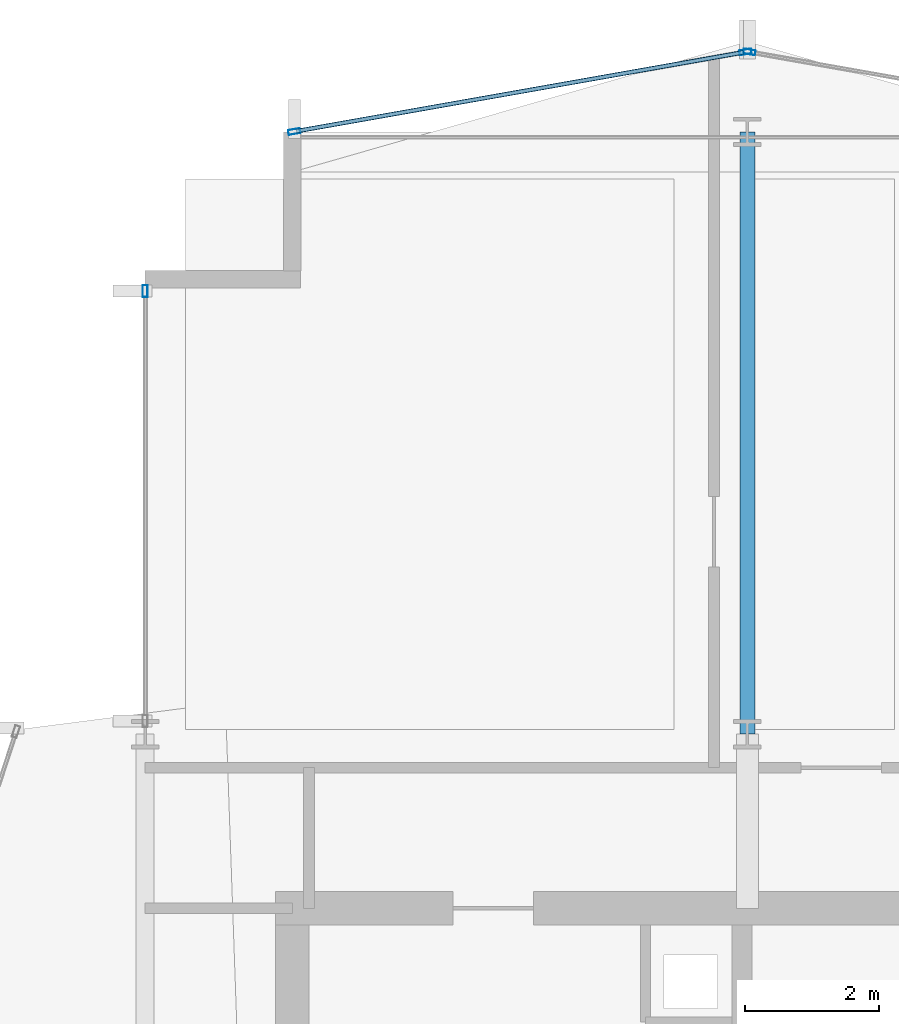
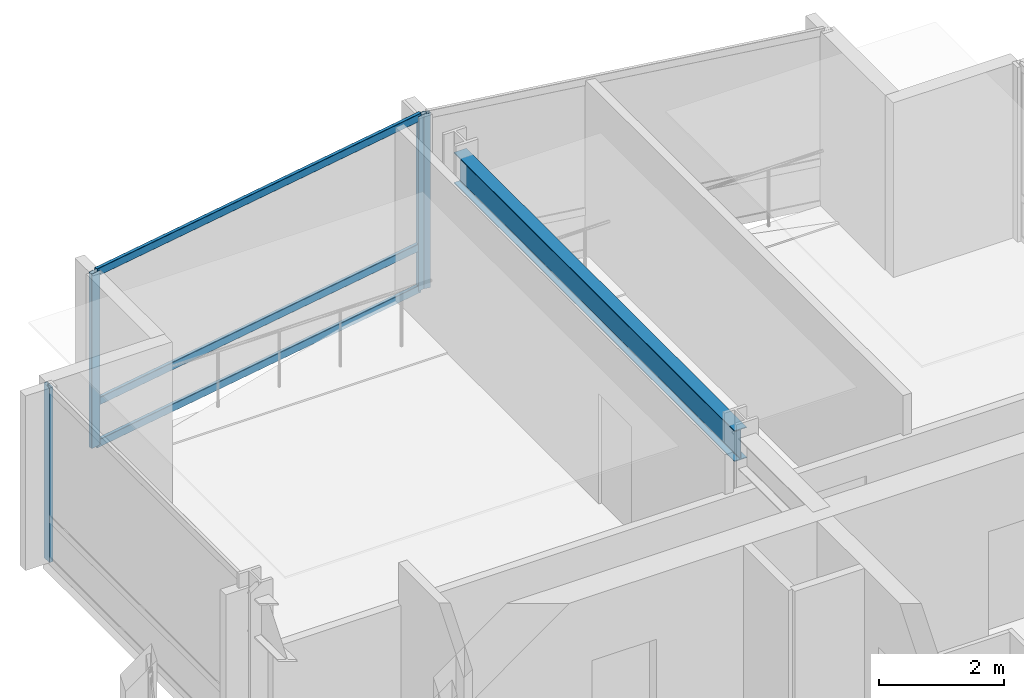
# One storey, part 19 of 29: 7 members, 1 beam, 3 elements without a shape of their own.
"""IFC4 building model written with IfcOpenShell, lengths in metres."""

from ifc_helpers import new_model, si_unit, direction, frame, origin, origin_2d, place, context, subcontext, project, spatial, hollow_rectangle, i_section, extrude, material, layer, layer_set, material_profile, profile_set, type_object, element, aggregate, save


model = new_model("IFC4")

# Units and contexts
model_context = context("Model", 3, precision=1e-05, world=origin(), true_north=direction((0.0, 1.0)))
body_context = subcontext(model_context, "Body", "Model", "MODEL_VIEW")
ifc_project = project(units=[si_unit("LENGTHUNIT", "METRE"), si_unit("AREAUNIT", "SQUARE_METRE"), si_unit("VOLUMEUNIT", "CUBIC_METRE"), si_unit("PLANEANGLEUNIT", "RADIAN"), si_unit("MASSUNIT", "GRAM", prefix="KILO")], contexts=[model_context])

# Site, building, storey
site_placement = place(None, origin())
site = spatial("IfcSite", under=ifc_project, at=site_placement, CompositionType="ELEMENT")
building_placement = place(site_placement, origin())
building = spatial("IfcBuilding", under=site, at=building_placement, Name="Solvaryn Broadcast Tower", CompositionType="ELEMENT")
storey_placement = place(building_placement, frame((0.0, 0.0, 139.60009765625)))
storey = spatial("IfcBuildingStorey", under=building, at=storey_placement, Name="L34", CompositionType="ELEMENT", Elevation=139.60009765625)

# Beam
ifc_material_1 = material(Name="Steel ASTM A992 Grade 50", Category="steel")
ifc_material_profile_1 = material_profile(ifc_material_1, i_section(OverallWidth=0.22802734375, OverallDepth=0.60791015625, WebThickness=0.01123046875, FlangeThickness=0.017333984375, FilletRadius=0.014892578125, at=origin_2d()))
ifc_profile_set_1 = profile_set([ifc_material_profile_1], Name="Steel ASTM A992 Grade 50")
beam_type = type_object("IfcBeamType", Name="BM-B2-W24X76", PredefinedType="BEAM", material=ifc_profile_set_1)
beam_placement = place(storey_placement, frame((18.0, 45.0, 3.115966796875), z_axis=(0.0, 1.0, 0.0), x_axis=(-1.0, 0.0, 0.0)))
element("IfcBeam", 1, at=beam_placement, inside=storey, type_object=beam_type, Name="L34 Primary Beam Y (45-54 @ X=18)", PredefinedType="BEAM", context=body_context, shape_type="SweptSolid", body=[
    extrude(i_section(OverallWidth=0.22802734375, OverallDepth=0.60791015625, WebThickness=0.01123046875, FlangeThickness=0.017333984375, FilletRadius=0.014892578125, at=origin_2d()), origin(), (0.0, 0.0, 1.0), 9.0),
])

# Curtain wall, member
ifc_material_2 = material(Name="Aluminium and Terracotta Unitised Curtain Wall", Category="masonry")
ifc_layer = layer(ifc_material_2, 0.199951171875)
ifc_layer_set = layer_set([ifc_layer], Name="CW-SYS2-LOWMID")
curtain_wall_type = type_object("IfcCurtainWallType", Name="CW-SYS2-LOWMID", PredefinedType="NOTDEFINED", material=ifc_layer_set)
curtain_wall_1_placement = place(storey_placement, origin())
curtain_wall_1 = element("IfcCurtainWall", 2, at=curtain_wall_1_placement, inside=storey, type_object=curtain_wall_type, Name="L34 Curtain Wall W2", PredefinedType="NOTDEFINED")
ifc_material_3 = material(Name="Anodised Aluminium 6063-T6", Category="aluminium")
ifc_material_profile_2 = material_profile(ifc_material_3, hollow_rectangle(XDim=0.074951171875, YDim=0.179931640625, WallThickness=0.00390625, InnerFilletRadius=0.00390625, OuterFilletRadius=0.008056640625, at=origin_2d()))
ifc_profile_set_2 = profile_set([ifc_material_profile_2], Name="Anodised Aluminium 6063-T6")
member_type_1 = type_object("IfcMemberType", Name="CW-MUL-180", PredefinedType="MULLION", material=ifc_profile_set_2)
member_1_placement = place(storey_placement, frame((9.0, 51.6201171875, 0.0), z_axis=(0.0, 0.0, 1.0), x_axis=(-1.0, 0.0, 0.0)))
member_1 = element("IfcMember", 3, at=member_1_placement, type_object=member_type_1, Name="CWS2 mullion 2", PredefinedType="MULLION", context=body_context, shape_type="SweptSolid", body=[
    extrude(hollow_rectangle(XDim=0.074951171875, YDim=0.179931640625, WallThickness=0.00390625, InnerFilletRadius=0.00390625, OuterFilletRadius=0.008056640625, at=origin_2d()), origin(), (0.0, 0.0, 1.0), 3.419921875),
])
aggregate(curtain_wall_1, [member_1])

curtain_wall_2_placement = place(storey_placement, origin())
curtain_wall_2 = element("IfcCurtainWall", 4, at=curtain_wall_2_placement, inside=storey, type_object=curtain_wall_type, Name="L34 Curtain Wall NT1", PredefinedType="NOTDEFINED")
member_2_placement = place(storey_placement, frame((18.029541015625, 55.19482421875, 0.0), z_axis=(0.0, 0.0, 1.0), x_axis=(-0.173785333901, -0.984783558819, 0.0)))
member_2 = element("IfcMember", 5, at=member_2_placement, type_object=member_type_1, Name="CWS2 mullion 2", PredefinedType="MULLION", context=body_context, shape_type="SweptSolid", body=[
    extrude(hollow_rectangle(XDim=0.074951171875, YDim=0.179931640625, WallThickness=0.00390625, InnerFilletRadius=0.00390625, OuterFilletRadius=0.008056640625, at=origin_2d()), origin(), (0.0, 0.0, 1.0), 3.419921875),
])
aggregate(curtain_wall_2, [member_2])

# Curtain wall, members
curtain_wall_3_placement = place(storey_placement, origin())
curtain_wall_3 = element("IfcCurtainWall", 6, at=curtain_wall_3_placement, inside=storey, type_object=curtain_wall_type, Name="L34 Curtain Wall NT2", PredefinedType="NOTDEFINED")
member_3_placement = place(storey_placement, frame((17.970458984375, 55.19482421875, 0.0), z_axis=(0.0, 0.0, 1.0), x_axis=(0.173785333901, -0.984783558819, 0.0)))
member_3 = element("IfcMember", 7, at=member_3_placement, type_object=member_type_1, Name="CWS2 mullion 1", PredefinedType="MULLION", context=body_context, shape_type="SweptSolid", body=[
    extrude(hollow_rectangle(XDim=0.074951171875, YDim=0.179931640625, WallThickness=0.00390625, InnerFilletRadius=0.00390625, OuterFilletRadius=0.008056640625, at=origin_2d()), origin(), (0.0, 0.0, 1.0), 3.419921875),
])
member_4_placement = place(storey_placement, frame((11.2294921875, 54.005126953125, 0.0), z_axis=(0.0, 0.0, 1.0), x_axis=(0.173785333901, -0.984783558819, 0.0)))
member_4 = element("IfcMember", 8, at=member_4_placement, type_object=member_type_1, Name="CWS2 mullion 2", PredefinedType="MULLION", context=body_context, shape_type="SweptSolid", body=[
    extrude(hollow_rectangle(XDim=0.074951171875, YDim=0.179931640625, WallThickness=0.00390625, InnerFilletRadius=0.00390625, OuterFilletRadius=0.008056640625, at=origin_2d()), origin(), (0.0, 0.0, 1.0), 3.419921875),
])
ifc_material_4 = material(Name="Anodised Aluminium 6063-T6", Category="aluminium")
ifc_material_profile_3 = material_profile(ifc_material_4, hollow_rectangle(XDim=0.06494140625, YDim=0.14990234375, WallThickness=0.00390625, InnerFilletRadius=0.00390625, OuterFilletRadius=0.008056640625, at=origin_2d()))
ifc_profile_set_3 = profile_set([ifc_material_profile_3], Name="Anodised Aluminium 6063-T6")
member_type_2 = type_object("IfcMemberType", Name="CW-TRN-150", PredefinedType="USERDEFINED", material=ifc_profile_set_3)
member_5_placement = place(storey_placement, frame((17.94091796875, 55.189453125, 0.02978515625), z_axis=(-0.984788629673, -0.173756596613, 0.0), x_axis=(0.173756596613, -0.984788629673, 0.0)))
member_5 = element("IfcMember", 9, at=member_5_placement, type_object=member_type_2, Name="CWS2 transom 1.1", ObjectType="TRANSOM", PredefinedType="USERDEFINED", context=body_context, shape_type="SweptSolid", body=[
    extrude(hollow_rectangle(XDim=0.06494140625, YDim=0.14990234375, WallThickness=0.00390625, InnerFilletRadius=0.00390625, OuterFilletRadius=0.008056640625, at=origin_2d()), origin(), (0.0, 0.0, 1.0), 6.78515625),
])
member_6_placement = place(storey_placement, frame((17.94091796875, 55.189453125, 0.849853515625), z_axis=(-0.984788629673, -0.173756596613, 0.0), x_axis=(0.173756596613, -0.984788629673, 0.0)))
member_6 = element("IfcMember", 10, at=member_6_placement, type_object=member_type_2, Name="CWS2 transom 1.2", ObjectType="TRANSOM", PredefinedType="USERDEFINED", context=body_context, shape_type="SweptSolid", body=[
    extrude(hollow_rectangle(XDim=0.06494140625, YDim=0.14990234375, WallThickness=0.00390625, InnerFilletRadius=0.00390625, OuterFilletRadius=0.008056640625, at=origin_2d()), origin(), (0.0, 0.0, 1.0), 6.78515625),
])
member_7_placement = place(storey_placement, frame((17.94091796875, 55.189453125, 3.389892578125), z_axis=(-0.984788629673, -0.173756596613, 0.0), x_axis=(0.173756596613, -0.984788629673, 0.0)))
member_7 = element("IfcMember", 11, at=member_7_placement, type_object=member_type_2, Name="CWS2 transom 1.3", ObjectType="TRANSOM", PredefinedType="USERDEFINED", context=body_context, shape_type="SweptSolid", body=[
    extrude(hollow_rectangle(XDim=0.06494140625, YDim=0.14990234375, WallThickness=0.00390625, InnerFilletRadius=0.00390625, OuterFilletRadius=0.008056640625, at=origin_2d()), origin(), (0.0, 0.0, 1.0), 6.78515625),
])
aggregate(curtain_wall_3, [member_3, member_4, member_5, member_6, member_7])

save(model, "model.ifc")
